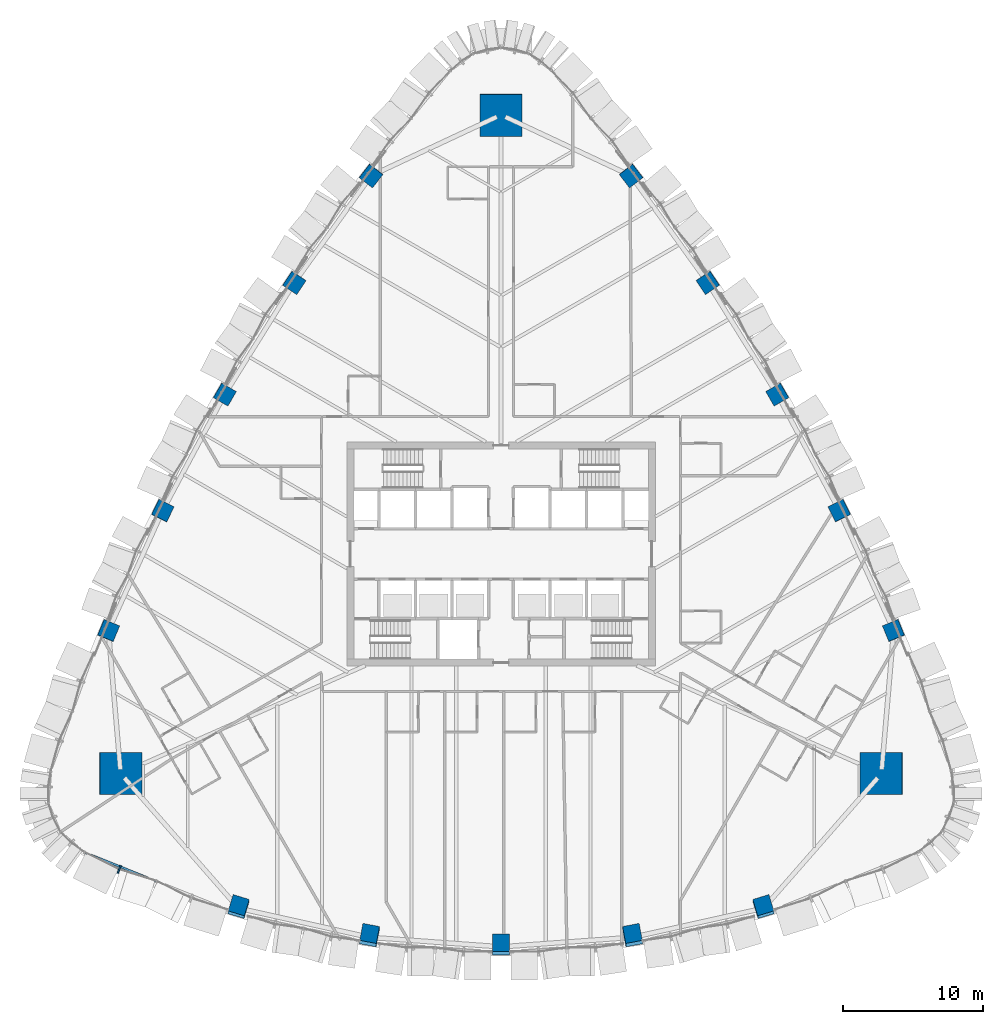
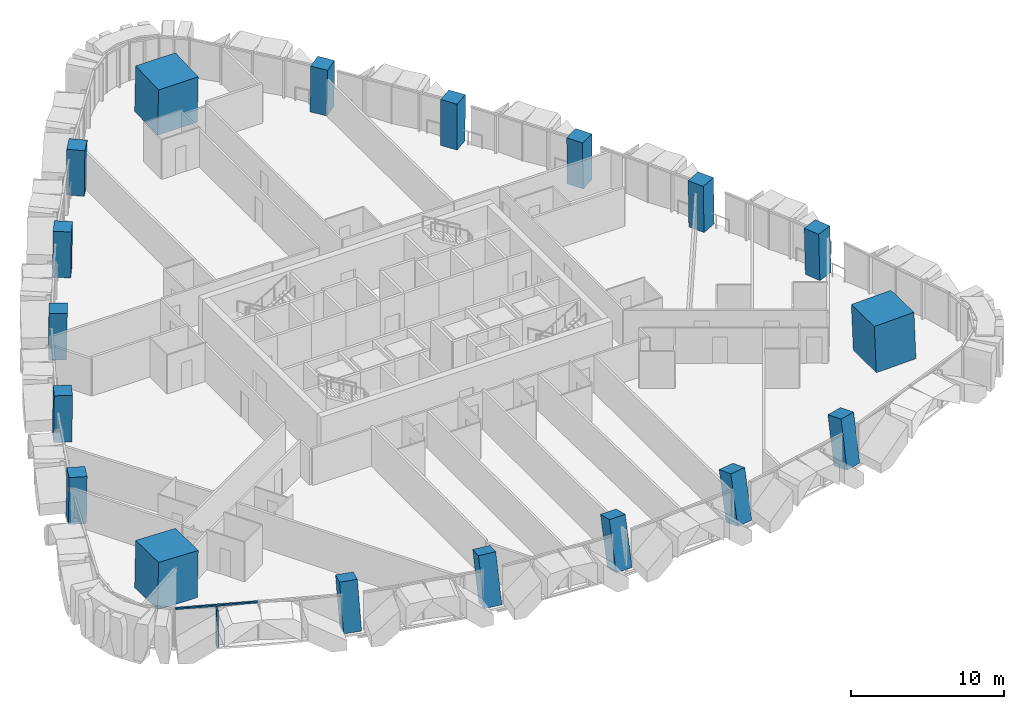
# One storey, part 1 of 23: 18 columns, 2 members, 1 element without a shape of its own.
"""IFC4 building model written with IfcOpenShell, lengths in metres."""

from ifc_helpers import new_model, si_unit, direction, frame, origin, origin_2d, place, context, subcontext, project, spatial, rectangle, extrude, clip, halfspace, material, layer, layer_set, material_profile, profile_set, type_object, element, aggregate, save


model = new_model("IFC4")

# Units and contexts
model_context = context("Model", 3, precision=1e-05, world=origin(), true_north=direction((0.0, 1.0)))
body_context = subcontext(model_context, "Body", "Model", "MODEL_VIEW")
ifc_project = project(units=[si_unit("LENGTHUNIT", "METRE"), si_unit("AREAUNIT", "SQUARE_METRE"), si_unit("VOLUMEUNIT", "CUBIC_METRE"), si_unit("PLANEANGLEUNIT", "RADIAN"), si_unit("MASSUNIT", "GRAM", prefix="KILO")], contexts=[model_context])

# Site, building, storey
site_placement = place(None, origin())
site = spatial("IfcSite", under=ifc_project, at=site_placement, CompositionType="ELEMENT")
building_placement = place(site_placement, origin())
building = spatial("IfcBuilding", under=site, at=building_placement, Name="Sierra Prisma Convention Tower", CompositionType="ELEMENT")
storey_placement = place(building_placement, frame((0.0, 0.0, 51.699951171875)))
storey = spatial("IfcBuildingStorey", under=building, at=storey_placement, Name="L08", CompositionType="ELEMENT", Elevation=51.699951171875)

# Columns
ifc_material_1 = material(Name="Concrete C60/75", Category="concrete")
ifc_material_profile_1 = material_profile(ifc_material_1, rectangle(XDim=3.0, YDim=3.0, at=origin_2d()), Name="Mega column RC 3000 C60/75")
ifc_profile_set_1 = profile_set([ifc_material_profile_1], Name="Concrete C60/75")
column_type_1 = type_object("IfcColumnType", Name="Mega column RC 3000 C60/75", PredefinedType="COLUMN", material=ifc_profile_set_1)
for number, where, z_axis, x_axis, name in (
    (1, (27.12841796875, -15.66259765625, 0.0), (-0.030531992032, 0.017607001884, 0.999378702468), (0.999533790055, 0.000537827582, 0.03052725469), "Mega column SE L08"),
    (2, (0.0, 31.3251953125, 0.0), (0.0, -0.035279904102, 0.999377470412), (1.0, 0.0, 0.0), "Mega column N L08"),
    (3, (-27.12841796875, -15.66259765625, 0.0), (0.030531992032, 0.017607001884, 0.999378702468), (0.999533790055, -0.000537827582, -0.03052725469), "Mega column SW L08"),
):
    element("IfcColumn", number, at=place(storey_placement, frame(where, z_axis=z_axis, x_axis=x_axis)), inside=storey, type_object=column_type_1, Name=name, PredefinedType="COLUMN", context=body_context, shape_type="SweptSolid", body=[
        extrude(rectangle(XDim=3.0, YDim=3.0, at=origin_2d()), origin(), (0.0, 0.0, 1.0), 3.7021484375),
    ])
ifc_material_2 = material(Name="Concrete C60/75", Category="concrete")
ifc_material_profile_2 = material_profile(ifc_material_2, rectangle(XDim=1.199951171875, YDim=1.199951171875, at=origin_2d()), Name="Perimeter column RC 1200 C60/75")
ifc_profile_set_2 = profile_set([ifc_material_profile_2], Name="Concrete C60/75")
column_type_2 = type_object("IfcColumnType", Name="Perimeter column RC 1200 C60/75", PredefinedType="COLUMN", material=ifc_profile_set_2)
column_1_placement = place(storey_placement, frame((-18.72998046875, -25.258056640625, 0.0), z_axis=(0.018960260892, 0.176875858454, 0.984050526753), x_axis=(-0.957447491583, 0.286704825548, -0.033085402656)))
element("IfcColumn", 4, at=column_1_placement, inside=storey, type_object=column_type_2, Name="Perimeter column S-1 L08", PredefinedType="COLUMN", context=body_context, shape_type="SweptSolid", body=[
    clip(clip(extrude(rectangle(XDim=1.199951171875, YDim=1.199951171875, at=origin_2d()), origin(), (0.0, 0.0, 1.0), 3.760009765625), halfspace(frame((0.0, 0.0, 0.000732421875)), True)), halfspace(frame((0.0, 0.0, 3.75927734375)), False)),
])
column_2_placement = place(storey_placement, frame((-9.385498046875, -27.3330078125, 0.0), z_axis=(0.009452762663, 0.224036905553, 0.974534817351), x_axis=(0.982720582571, -0.182243855241, 0.032364082218)))
element("IfcColumn", 5, at=column_2_placement, inside=storey, type_object=column_type_2, Name="Perimeter column S-2 L08", PredefinedType="COLUMN", context=body_context, shape_type="SweptSolid", body=[
    extrude(rectangle(XDim=1.199951171875, YDim=1.199951171875, at=origin_2d()), origin(), (0.0, 0.0, 1.0), 3.796630859375),
])
column_3_placement = place(storey_placement, frame((0.0, -28.013916015625, 0.0), z_axis=(0.0, 0.23868906442, 0.971096045984), x_axis=(-1.0, 0.0, 0.0)))
element("IfcColumn", 6, at=column_3_placement, inside=storey, type_object=column_type_2, Name="Perimeter column S-3 L08", PredefinedType="COLUMN", context=body_context, shape_type="SweptSolid", body=[
    extrude(rectangle(XDim=1.199951171875, YDim=1.199951171875, at=origin_2d()), origin(), (0.0, 0.0, 1.0), 3.81005859375),
])
column_4_placement = place(storey_placement, frame((9.385498046875, -27.3330078125, 0.0), z_axis=(-0.009452762663, 0.224036905553, 0.974534817351), x_axis=(-0.982720582571, -0.182243855241, 0.032364082218)))
element("IfcColumn", 7, at=column_4_placement, inside=storey, type_object=column_type_2, Name="Perimeter column S-4 L08", PredefinedType="COLUMN", context=body_context, shape_type="SweptSolid", body=[
    extrude(rectangle(XDim=1.199951171875, YDim=1.199951171875, at=origin_2d()), origin(), (0.0, 0.0, 1.0), 3.796630859375),
])
column_5_placement = place(storey_placement, frame((18.72998046875, -25.258056640625, 0.0), z_axis=(-0.018960260892, 0.176875858454, 0.984050526753), x_axis=(0.957447491583, 0.286704825548, -0.033085402656)))
element("IfcColumn", 8, at=column_5_placement, inside=storey, type_object=column_type_2, Name="Perimeter column S-5 L08", PredefinedType="COLUMN", context=body_context, shape_type="SweptSolid", body=[
    clip(clip(extrude(rectangle(XDim=1.199951171875, YDim=1.199951171875, at=origin_2d()), origin(), (0.0, 0.0, 1.0), 3.760009765625), halfspace(frame((0.0, 0.0, 0.000732421875)), True)), halfspace(frame((0.0, 0.0, 3.75927734375)), False)),
])
column_6_placement = place(storey_placement, frame((28.004638671875, -5.459228515625, 0.0), z_axis=(-0.019460655113, 0.011016709844, 0.999749926235), x_axis=(-0.381854725948, 0.924054467724, -0.017615588272)))
element("IfcColumn", 9, at=column_6_placement, inside=storey, type_object=column_type_2, Name="Perimeter column NE-1 L08", PredefinedType="COLUMN", context=body_context, shape_type="SweptSolid", body=[
    extrude(rectangle(XDim=1.199951171875, YDim=1.199951171875, at=origin_2d()), origin(), (0.0, 0.0, 1.0), 3.700927734375),
])
column_7_placement = place(storey_placement, frame((24.134521484375, 3.0966796875, 0.0), z_axis=(-0.015306644787, 0.002309192102, 0.99988017995), x_axis=(-0.441869025953, 0.897036057616, -0.008836019534)))
element("IfcColumn", 10, at=column_7_placement, inside=storey, type_object=column_type_2, Name="Perimeter column NE-2 L08", PredefinedType="COLUMN", context=body_context, shape_type="SweptSolid", body=[
    extrude(rectangle(XDim=1.199951171875, YDim=1.199951171875, at=origin_2d()), origin(), (0.0, 0.0, 1.0), 3.700439453125),
])
column_8_placement = place(storey_placement, frame((19.70947265625, 11.37939453125, 0.0), z_axis=(-0.010688725148, -0.006202099777, 0.999923639641), x_axis=(-0.499971436973, 0.8660418936, 2.7223042e-05)))
element("IfcColumn", 11, at=column_8_placement, inside=storey, type_object=column_type_2, Name="Perimeter column NE-3 L08", PredefinedType="COLUMN", context=body_context, shape_type="SweptSolid", body=[
    extrude(rectangle(XDim=1.199951171875, YDim=1.199951171875, at=origin_2d()), origin(), (0.0, 0.0, 1.0), 3.7001953125),
])
column_9_placement = place(storey_placement, frame((14.7490234375, 19.352783203125, 0.0), z_axis=(-0.005674011074, -0.014448935178, 0.999879509676), x_axis=(-0.555902266829, 0.831200472954, 0.008856833298)))
element("IfcColumn", 12, at=column_9_placement, inside=storey, type_object=column_type_2, Name="Perimeter column NE-4 L08", PredefinedType="COLUMN", context=body_context, shape_type="SweptSolid", body=[
    extrude(rectangle(XDim=1.199951171875, YDim=1.199951171875, at=origin_2d()), origin(), (0.0, 0.0, 1.0), 3.700439453125),
])
for number, where, z_axis, x_axis, name in (
    (13, (9.274658203125, 26.982421875, 0.0), (-0.000197904668, -0.022429195703, 0.999748414359), (-0.609410619904, 0.792658016882, 0.017662520216), "Perimeter column NE-5 L08"),
    (14, (-9.274658203125, 26.982421875, 0.0), (0.000197904668, -0.022429195703, 0.999748414359), (0.609410619904, 0.792658016882, 0.017662520216), "Perimeter column NW-1 L08"),
):
    element("IfcColumn", number, at=place(storey_placement, frame(where, z_axis=z_axis, x_axis=x_axis)), inside=storey, type_object=column_type_2, Name=name, PredefinedType="COLUMN", context=body_context, shape_type="SweptSolid", body=[
        extrude(rectangle(XDim=1.199951171875, YDim=1.199951171875, at=origin_2d()), origin(), (0.0, 0.0, 1.0), 3.700927734375),
    ])
column_10_placement = place(storey_placement, frame((-14.7490234375, 19.352783203125, 0.0), z_axis=(0.005674011074, -0.014448935178, 0.999879509676), x_axis=(0.555902266829, 0.831200472954, 0.008856833298)))
element("IfcColumn", 15, at=column_10_placement, inside=storey, type_object=column_type_2, Name="Perimeter column NW-2 L08", PredefinedType="COLUMN", context=body_context, shape_type="SweptSolid", body=[
    extrude(rectangle(XDim=1.199951171875, YDim=1.199951171875, at=origin_2d()), origin(), (0.0, 0.0, 1.0), 3.700439453125),
])
column_11_placement = place(storey_placement, frame((-19.70947265625, 11.37939453125, 0.0), z_axis=(0.010688725148, -0.006202099777, 0.999923639641), x_axis=(0.499971436973, 0.8660418936, 2.7223042e-05)))
element("IfcColumn", 16, at=column_11_placement, inside=storey, type_object=column_type_2, Name="Perimeter column NW-3 L08", PredefinedType="COLUMN", context=body_context, shape_type="SweptSolid", body=[
    extrude(rectangle(XDim=1.199951171875, YDim=1.199951171875, at=origin_2d()), origin(), (0.0, 0.0, 1.0), 3.7001953125),
])
column_12_placement = place(storey_placement, frame((-24.134521484375, 3.0966796875, 0.0), z_axis=(0.015306644787, 0.002309192102, 0.99988017995), x_axis=(0.441869025953, 0.897036057616, -0.008836019534)))
element("IfcColumn", 17, at=column_12_placement, inside=storey, type_object=column_type_2, Name="Perimeter column NW-4 L08", PredefinedType="COLUMN", context=body_context, shape_type="SweptSolid", body=[
    extrude(rectangle(XDim=1.199951171875, YDim=1.199951171875, at=origin_2d()), origin(), (0.0, 0.0, 1.0), 3.700439453125),
])
column_13_placement = place(storey_placement, frame((-28.004638671875, -5.459228515625, 0.0), z_axis=(0.019460655113, 0.011016709844, 0.999749926235), x_axis=(0.381854725948, 0.924054467724, -0.017615588272)))
element("IfcColumn", 18, at=column_13_placement, inside=storey, type_object=column_type_2, Name="Perimeter column NW-5 L08", PredefinedType="COLUMN", context=body_context, shape_type="SweptSolid", body=[
    extrude(rectangle(XDim=1.199951171875, YDim=1.199951171875, at=origin_2d()), origin(), (0.0, 0.0, 1.0), 3.700927734375),
])

# Curtain wall, members
ifc_material_3 = material(Name="Aluminium and glass curtain wall", Category="aluminium")
ifc_layer = layer(ifc_material_3, 0.179931640625)
ifc_layer_set = layer_set([ifc_layer], Name="CW-2 Faceted crystal curtain wall")
curtain_wall_type = type_object("IfcCurtainWallType", Name="CW-2 Faceted crystal curtain wall", PredefinedType="NOTDEFINED", material=ifc_layer_set)
curtain_wall_placement = place(storey_placement, origin())
curtain_wall = element("IfcCurtainWall", 19, at=curtain_wall_placement, inside=storey, type_object=curtain_wall_type, Name="CW-2 S1 L08", PredefinedType="NOTDEFINED")
ifc_material_4 = material(Name="Aluminium 6063-T6 bronze anodised", Category="aluminium")
ifc_material_profile_3 = material_profile(ifc_material_4, rectangle(XDim=0.1201171875, YDim=0.60009765625, at=origin_2d()), Name="ALU RIDGE BLADE 120x600")
ifc_profile_set_3 = profile_set([ifc_material_profile_3], Name="Aluminium 6063-T6 bronze anodised")
member_type_1 = type_object("IfcMemberType", Name="CW hip bronze", PredefinedType="MULLION", material=ifc_profile_set_3)
member_1_placement = place(storey_placement, frame((-27.234375, -22.49853515625, 0.0), z_axis=(0.0, 0.0, 1.0), x_axis=(0.928218469403, -0.372035580367, 0.0)))
member_1 = element("IfcMember", 20, at=member_1_placement, type_object=member_type_1, Name="CW-2 ridge S1.1", PredefinedType="MULLION", context=body_context, shape_type="SweptSolid", body=[
    extrude(rectangle(XDim=0.1201171875, YDim=0.60009765625, at=origin_2d()), origin(), (0.0, 0.0, 1.0), 2.97998046875),
])
ifc_material_5 = material(Name="Aluminium 6063-T6 bronze anodised", Category="aluminium")
ifc_material_profile_4 = material_profile(ifc_material_5, rectangle(XDim=0.139892578125, YDim=0.1201171875, at=origin_2d()), Name="ALU TRANSOM 120x140")
ifc_profile_set_4 = profile_set([ifc_material_profile_4], Name="Aluminium 6063-T6 bronze anodised")
member_type_2 = type_object("IfcMemberType", Name="CW transom bronze", PredefinedType="USERDEFINED", material=ifc_profile_set_4)
member_2_placement = place(storey_placement, frame((-29.6865234375, -21.284423828125, 3.0400390625), z_axis=(0.928226491865, -0.372015563922, 0.0), x_axis=(0.372015563922, 0.928226491865, 0.0)))
member_2 = element("IfcMember", 21, at=member_2_placement, type_object=member_type_2, Name="CW-1 transom S1.1", ObjectType="TRANSOM", PredefinedType="USERDEFINED", context=body_context, shape_type="SweptSolid", body=[
    extrude(rectangle(XDim=0.139892578125, YDim=0.1201171875, at=origin_2d()), origin(), (0.0, 0.0, 1.0), 5.45556640625),
])
aggregate(curtain_wall, [member_2, member_1])

save(model, "model.ifc")
